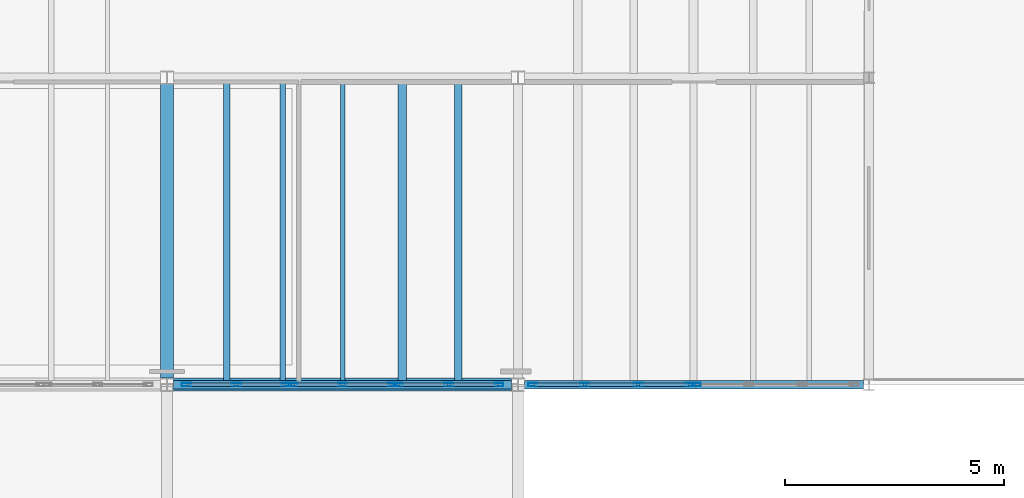
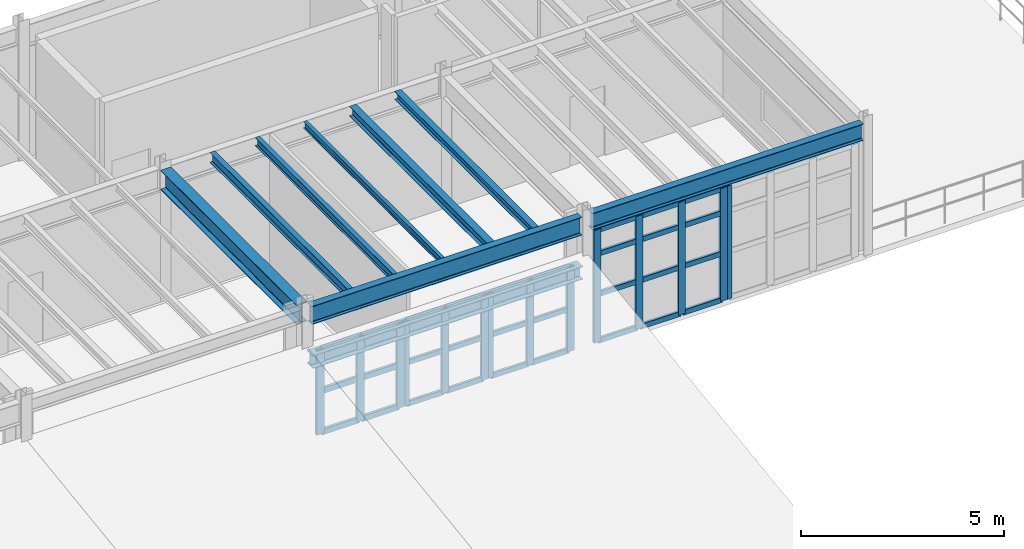
# One storey, part 15 of 77: 44 members, 9 beams, 5 elements without a shape of their own.
"""IFC4 building model written with IfcOpenShell, lengths in metres."""

from ifc_helpers import new_model, si_unit, direction, frame, origin, origin_2d, place, context, subcontext, project, spatial, hollow_rectangle, i_section, extrude, material, material_profile, profile_set, type_object, element, aggregate, save


model = new_model("IFC4")

# Units and contexts
model_context = context("Model", 3, precision=1e-05, world=origin(), true_north=direction((0.0, 1.0)))
body_context = subcontext(model_context, "Body", "Model", "MODEL_VIEW")
ifc_project = project(units=[si_unit("LENGTHUNIT", "METRE"), si_unit("AREAUNIT", "SQUARE_METRE"), si_unit("VOLUMEUNIT", "CUBIC_METRE"), si_unit("PLANEANGLEUNIT", "RADIAN"), si_unit("MASSUNIT", "GRAM", prefix="KILO"), si_unit("THERMODYNAMICTEMPERATUREUNIT", "KELVIN"), si_unit("POWERUNIT", "WATT")], contexts=[model_context])

# Site, building, storey
site_placement = place(None, origin())
site = spatial("IfcSite", under=ifc_project, at=site_placement, CompositionType="ELEMENT")
building_placement = place(site_placement, origin())
building = spatial("IfcBuilding", under=site, at=building_placement, Name="Zhenchuan Central Fire Station", CompositionType="ELEMENT")
storey_placement = place(building_placement, frame((0.0, 0.0, 10.050048828125)))
storey = spatial("IfcBuildingStorey", under=building, at=storey_placement, Name="L03", CompositionType="ELEMENT", Elevation=10.050048828125)

# Beams
ifc_material_1 = material(Name="Steel Q355B", Category="steel")
ifc_material_profile_1 = material_profile(ifc_material_1, i_section(OverallWidth=0.300048828125, OverallDepth=0.389892578125, WebThickness=0.010009765625, FlangeThickness=0.01611328125, FilletRadius=0.02001953125, at=origin_2d()), Name="HM 390x300")
ifc_profile_set_1 = profile_set([ifc_material_profile_1], Name="Steel Q355B")
beam_type_1 = type_object("IfcBeamType", Name="BM-HM390-INT", PredefinedType="BEAM", material=ifc_profile_set_1)
beam_1_placement = place(storey_placement, frame((32.14990234375, 42.5, 2.329833984375), z_axis=(1.0, 0.0, 0.0), x_axis=(0.0, 1.0, 0.0)))
element("IfcBeam", 1, at=beam_1_placement, inside=storey, type_object=beam_type_1, Name="Workshop Sawtooth Ridge Girder 5", PredefinedType="BEAM", context=body_context, shape_type="SweptSolid", body=[
    extrude(i_section(OverallWidth=0.300048828125, OverallDepth=0.389892578125, WebThickness=0.010009765625, FlangeThickness=0.01611328125, FilletRadius=0.02001953125, at=origin_2d()), origin(), (0.0, 0.0, 1.0), 7.7001953125),
])
ifc_material_profile_2 = material_profile(ifc_material_1, i_section(OverallWidth=0.300048828125, OverallDepth=0.587890625, WebThickness=0.011962890625, FlangeThickness=0.02001953125, FilletRadius=0.02392578125, at=origin_2d()), Name="HM 588x300")
ifc_profile_set_2 = profile_set([ifc_material_profile_2], Name="Steel Q355B")
beam_type_2 = type_object("IfcBeamType", Name="BM-HM588", PredefinedType="BEAM", material=ifc_profile_set_2)
beam_2_placement = place(storey_placement, frame((32.0, 42.64990234375, 3.68603515625), z_axis=(0.0, 1.0, 0.0), x_axis=(-1.0, 0.0, 0.0)))
element("IfcBeam", 2, at=beam_2_placement, inside=storey, type_object=beam_type_2, Name="L04 Girder NS 0396", PredefinedType="BEAM", context=body_context, shape_type="SweptSolid", body=[
    extrude(i_section(OverallWidth=0.300048828125, OverallDepth=0.587890625, WebThickness=0.011962890625, FlangeThickness=0.02001953125, FilletRadius=0.02392578125, at=origin_2d()), origin(), (0.0, 0.0, 1.0), 6.7001953125),
])
ifc_material_profile_3 = material_profile(ifc_material_1, i_section(OverallWidth=0.199951171875, OverallDepth=0.5, WebThickness=0.010009765625, FlangeThickness=0.01611328125, FilletRadius=0.02001953125, at=origin_2d()), Name="HN 500x200")
ifc_profile_set_3 = profile_set([ifc_material_profile_3], Name="Steel Q355B")
beam_type_3 = type_object("IfcBeamType", Name="BM-HN500-INT", PredefinedType="BEAM", material=ifc_profile_set_3)
beam_3_placement = place(storey_placement, frame((40.14990234375, 42.5, 3.72998046875), z_axis=(1.0, 0.0, 0.0), x_axis=(0.0, 1.0, 0.0)))
element("IfcBeam", 3, at=beam_3_placement, inside=storey, type_object=beam_type_3, Name="L04 Girder EW 0367", PredefinedType="BEAM", context=body_context, shape_type="SweptSolid", body=[
    extrude(i_section(OverallWidth=0.199951171875, OverallDepth=0.5, WebThickness=0.010009765625, FlangeThickness=0.01611328125, FilletRadius=0.02001953125, at=origin_2d()), origin(), (0.0, 0.0, 1.0), 7.72509765625),
])
ifc_material_profile_4 = material_profile(ifc_material_1, i_section(OverallWidth=0.199951171875, OverallDepth=0.550048828125, WebThickness=0.010009765625, FlangeThickness=0.01611328125, FilletRadius=0.02001953125, at=origin_2d()), Name="HN 550x200")
ifc_profile_set_4 = profile_set([ifc_material_profile_4], Name="Steel Q355B")
beam_type_4 = type_object("IfcBeamType", Name="BM-HN550-INT", PredefinedType="BEAM", material=ifc_profile_set_4)
beam_4_placement = place(storey_placement, frame((32.14990234375, 42.5, 3.704833984375), z_axis=(1.0, 0.0, 0.0), x_axis=(0.0, 1.0, 0.0)))
element("IfcBeam", 4, at=beam_4_placement, inside=storey, type_object=beam_type_4, Name="L04 Girder EW 0366", PredefinedType="BEAM", context=body_context, shape_type="SweptSolid", body=[
    extrude(i_section(OverallWidth=0.199951171875, OverallDepth=0.550048828125, WebThickness=0.010009765625, FlangeThickness=0.01611328125, FilletRadius=0.02001953125, at=origin_2d()), origin(), (0.0, 0.0, 1.0), 7.7001953125),
])

# Curtain wall, members
ifc_material_2 = material(Name="Anodised aluminium and low-E glazing", Category="aluminium")
curtain_wall_type_1 = type_object("IfcCurtainWallType", Name="CW-MOD-01", PredefinedType="USERDEFINED", material=ifc_material_2)
curtain_wall_1_placement = place(storey_placement, origin())
curtain_wall_1 = element("IfcCurtainWall", 5, at=curtain_wall_1_placement, inside=storey, type_object=curtain_wall_type_1, Name="L03 Unitised Curtain Wall 050", ObjectType="UNITISED GLAZING", PredefinedType="USERDEFINED")
ifc_material_3 = material(Name="Anodised aluminium EN AW-6063", Category="aluminium")
ifc_material_profile_5 = material_profile(ifc_material_3, hollow_rectangle(XDim=0.074951171875, YDim=0.199951171875, WallThickness=0.0048828125, at=origin_2d()), Name="ALU-M 200x75")
ifc_profile_set_5 = profile_set([ifc_material_profile_5], Name="Anodised aluminium EN AW-6063")
member_type_1 = type_object("IfcMemberType", Name="CW-MUL160", PredefinedType="MULLION", material=ifc_profile_set_5)
member_1_placement = place(storey_placement, frame((34.87060546875, 42.5, -0.004150390625), z_axis=(0.0, 0.0, 1.0), x_axis=(0.0, 1.0, 0.0)))
member_1 = element("IfcMember", 6, at=member_1_placement, type_object=member_type_1, Name="CW-01 mullion 1", PredefinedType="MULLION", context=body_context, shape_type="SweptSolid", body=[
    extrude(hollow_rectangle(XDim=0.074951171875, YDim=0.199951171875, WallThickness=0.0048828125, at=origin_2d()), origin(), (0.0, 0.0, 1.0), 2.55419921875),
])
member_2_placement = place(storey_placement, frame((36.0, 42.5, -0.004150390625), z_axis=(0.0, 0.0, 1.0), x_axis=(0.0, 1.0, 0.0)))
member_2 = element("IfcMember", 7, at=member_2_placement, type_object=member_type_1, Name="CW-01 mullion 2", PredefinedType="MULLION", context=body_context, shape_type="SweptSolid", body=[
    extrude(hollow_rectangle(XDim=0.074951171875, YDim=0.199951171875, WallThickness=0.0048828125, at=origin_2d()), origin(), (0.0, 0.0, 1.0), 2.55419921875),
])
member_3_placement = place(storey_placement, frame((37.12939453125, 42.5, -0.004150390625), z_axis=(0.0, 0.0, 1.0), x_axis=(0.0, 1.0, 0.0)))
member_3 = element("IfcMember", 8, at=member_3_placement, type_object=member_type_1, Name="CW-01 mullion 3", PredefinedType="MULLION", context=body_context, shape_type="SweptSolid", body=[
    extrude(hollow_rectangle(XDim=0.074951171875, YDim=0.199951171875, WallThickness=0.0048828125, at=origin_2d()), origin(), (0.0, 0.0, 1.0), 2.55419921875),
])

curtain_wall_type_2 = type_object("IfcCurtainWallType", Name="CW-MOD-02", PredefinedType="USERDEFINED", material=ifc_material_2)
curtain_wall_2_placement = place(storey_placement, origin())
curtain_wall_2 = element("IfcCurtainWall", 9, at=curtain_wall_2_placement, inside=storey, type_object=curtain_wall_type_2, Name="L03 Unitised Curtain Wall 051", ObjectType="UNITISED GLAZING", PredefinedType="USERDEFINED")
member_4_placement = place(storey_placement, frame((37.2705078125, 42.5, -0.004150390625), z_axis=(0.0, 0.0, 1.0), x_axis=(0.0, 1.0, 0.0)))
member_4 = element("IfcMember", 10, at=member_4_placement, type_object=member_type_1, Name="CW-02 mullion 1", PredefinedType="MULLION", context=body_context, shape_type="SweptSolid", body=[
    extrude(hollow_rectangle(XDim=0.074951171875, YDim=0.199951171875, WallThickness=0.0048828125, at=origin_2d()), origin(), (0.0, 0.0, 1.0), 2.55419921875),
])
member_5_placement = place(storey_placement, frame((38.4189453125, 42.5, -0.004150390625), z_axis=(0.0, 0.0, 1.0), x_axis=(0.0, 1.0, 0.0)))
member_5 = element("IfcMember", 11, at=member_5_placement, type_object=member_type_1, Name="CW-02 mullion 2", PredefinedType="MULLION", context=body_context, shape_type="SweptSolid", body=[
    extrude(hollow_rectangle(XDim=0.074951171875, YDim=0.199951171875, WallThickness=0.0048828125, at=origin_2d()), origin(), (0.0, 0.0, 1.0), 2.55419921875),
])
member_6_placement = place(storey_placement, frame((39.5673828125, 42.5, -0.004150390625), z_axis=(0.0, 0.0, 1.0), x_axis=(0.0, 1.0, 0.0)))
member_6 = element("IfcMember", 12, at=member_6_placement, type_object=member_type_1, Name="CW-02 mullion 3", PredefinedType="MULLION", context=body_context, shape_type="SweptSolid", body=[
    extrude(hollow_rectangle(XDim=0.074951171875, YDim=0.199951171875, WallThickness=0.0048828125, at=origin_2d()), origin(), (0.0, 0.0, 1.0), 2.55419921875),
])

curtain_wall_type_3 = type_object("IfcCurtainWallType", Name="CW-MOD-07", PredefinedType="USERDEFINED", material=ifc_material_2)
curtain_wall_3_placement = place(storey_placement, origin())
curtain_wall_3 = element("IfcCurtainWall", 13, at=curtain_wall_3_placement, inside=storey, type_object=curtain_wall_type_3, Name="L03 Unitised Curtain Wall 070", ObjectType="UNITISED GLAZING", PredefinedType="USERDEFINED")
member_7_placement = place(storey_placement, frame((40.33251953125, 42.5, -0.004150390625), z_axis=(0.0, 0.0, 1.0), x_axis=(0.0, 1.0, 0.0)))
member_7 = element("IfcMember", 14, at=member_7_placement, type_object=member_type_1, Name="CW-07 mullion 1", PredefinedType="MULLION", context=body_context, shape_type="SweptSolid", body=[
    extrude(hollow_rectangle(XDim=0.074951171875, YDim=0.199951171875, WallThickness=0.0048828125, at=origin_2d()), origin(), (0.0, 0.0, 1.0), 3.404052734375),
])
member_8_placement = place(storey_placement, frame((41.520751953125, 42.5, -0.004150390625), z_axis=(0.0, 0.0, 1.0), x_axis=(0.0, 1.0, 0.0)))
member_8 = element("IfcMember", 15, at=member_8_placement, type_object=member_type_1, Name="CW-07 mullion 2", PredefinedType="MULLION", context=body_context, shape_type="SweptSolid", body=[
    extrude(hollow_rectangle(XDim=0.074951171875, YDim=0.199951171875, WallThickness=0.0048828125, at=origin_2d()), origin(), (0.0, 0.0, 1.0), 3.404052734375),
])
member_9_placement = place(storey_placement, frame((42.741455078125, 42.5, -0.004150390625), z_axis=(0.0, 0.0, 1.0), x_axis=(0.0, 1.0, 0.0)))
member_9 = element("IfcMember", 16, at=member_9_placement, type_object=member_type_1, Name="CW-07 mullion 3", PredefinedType="MULLION", context=body_context, shape_type="SweptSolid", body=[
    extrude(hollow_rectangle(XDim=0.074951171875, YDim=0.199951171875, WallThickness=0.0048828125, at=origin_2d()), origin(), (0.0, 0.0, 1.0), 3.404052734375),
])
member_10_placement = place(storey_placement, frame((43.929443359375, 42.5, -0.004150390625), z_axis=(0.0, 0.0, 1.0), x_axis=(0.0, 1.0, 0.0)))
member_10 = element("IfcMember", 17, at=member_10_placement, type_object=member_type_1, Name="CW-07 mullion 4", PredefinedType="MULLION", context=body_context, shape_type="SweptSolid", body=[
    extrude(hollow_rectangle(XDim=0.074951171875, YDim=0.199951171875, WallThickness=0.0048828125, at=origin_2d()), origin(), (0.0, 0.0, 1.0), 3.404052734375),
])

# Curtain wall, member
curtain_wall_type_4 = type_object("IfcCurtainWallType", Name="CW-MOD-08", PredefinedType="USERDEFINED", material=ifc_material_2)
curtain_wall_4_placement = place(storey_placement, origin())
curtain_wall_4 = element("IfcCurtainWall", 18, at=curtain_wall_4_placement, inside=storey, type_object=curtain_wall_type_4, Name="L03 Unitised Curtain Wall 071", ObjectType="UNITISED GLAZING", PredefinedType="USERDEFINED")
member_11_placement = place(storey_placement, frame((44.070556640625, 42.5, -0.004150390625), z_axis=(0.0, 0.0, 1.0), x_axis=(0.0, 1.0, 0.0)))
member_11 = element("IfcMember", 19, at=member_11_placement, type_object=member_type_1, Name="CW-08 mullion 1", PredefinedType="MULLION", context=body_context, shape_type="SweptSolid", body=[
    extrude(hollow_rectangle(XDim=0.074951171875, YDim=0.199951171875, WallThickness=0.0048828125, at=origin_2d()), origin(), (0.0, 0.0, 1.0), 3.404052734375),
])
aggregate(curtain_wall_4, [member_11])

# Curtain wall, members
curtain_wall_type_5 = type_object("IfcCurtainWallType", Name="CW-MOD-22", PredefinedType="USERDEFINED", material=ifc_material_2)
curtain_wall_5_placement = place(storey_placement, origin())
curtain_wall_5 = element("IfcCurtainWall", 20, at=curtain_wall_5_placement, inside=storey, type_object=curtain_wall_type_5, Name="L03 Unitised Curtain Wall 049", ObjectType="UNITISED GLAZING", PredefinedType="USERDEFINED")
ifc_material_profile_6 = material_profile(ifc_material_3, hollow_rectangle(XDim=0.080078125, YDim=0.219970703125, WallThickness=0.005615234375, at=origin_2d()), Name="ALU-M 220x80")
ifc_profile_set_6 = profile_set([ifc_material_profile_6], Name="Anodised aluminium EN AW-6063")
member_type_2 = type_object("IfcMemberType", Name="CW-MUL200", PredefinedType="MULLION", material=ifc_profile_set_6)
member_12_placement = place(storey_placement, frame((32.4375, 42.5, -0.004150390625), z_axis=(0.0, 0.0, 1.0), x_axis=(0.0, 1.0, 0.0)))
member_12 = element("IfcMember", 21, at=member_12_placement, type_object=member_type_2, Name="CW-22 mullion 1", PredefinedType="MULLION", context=body_context, shape_type="SweptSolid", body=[
    extrude(hollow_rectangle(XDim=0.080078125, YDim=0.219970703125, WallThickness=0.005615234375, at=origin_2d()), origin(), (0.0, 0.0, 1.0), 2.55419921875),
])
member_13_placement = place(storey_placement, frame((33.5810546875, 42.5, -0.004150390625), z_axis=(0.0, 0.0, 1.0), x_axis=(0.0, 1.0, 0.0)))
member_13 = element("IfcMember", 22, at=member_13_placement, type_object=member_type_2, Name="CW-22 mullion 2", PredefinedType="MULLION", context=body_context, shape_type="SweptSolid", body=[
    extrude(hollow_rectangle(XDim=0.080078125, YDim=0.219970703125, WallThickness=0.005615234375, at=origin_2d()), origin(), (0.0, 0.0, 1.0), 2.55419921875),
])
member_14_placement = place(storey_placement, frame((34.724609375, 42.5, -0.004150390625), z_axis=(0.0, 0.0, 1.0), x_axis=(0.0, 1.0, 0.0)))
member_14 = element("IfcMember", 23, at=member_14_placement, type_object=member_type_2, Name="CW-22 mullion 3", PredefinedType="MULLION", context=body_context, shape_type="SweptSolid", body=[
    extrude(hollow_rectangle(XDim=0.080078125, YDim=0.219970703125, WallThickness=0.005615234375, at=origin_2d()), origin(), (0.0, 0.0, 1.0), 2.55419921875),
])

# Member
ifc_material_profile_7 = material_profile(ifc_material_3, hollow_rectangle(XDim=0.074951171875, YDim=0.14990234375, WallThickness=0.0048828125, at=origin_2d()), Name="ALU-T 150x75")
ifc_profile_set_7 = profile_set([ifc_material_profile_7], Name="Anodised aluminium EN AW-6063")
member_type_3 = type_object("IfcMemberType", Name="CW-TRN130", PredefinedType="NOTDEFINED", material=ifc_profile_set_7)
member_15_placement = place(storey_placement, frame((34.903076171875, 42.5, 0.028564453125), z_axis=(1.0, 0.0, 0.0), x_axis=(0.0, 1.0, 0.0)))
member_15 = element("IfcMember", 24, at=member_15_placement, type_object=member_type_3, Name="CW-01 transom 1.1", ObjectType="TRANSOM", PredefinedType="USERDEFINED", context=body_context, shape_type="SweptSolid", body=[
    extrude(hollow_rectangle(XDim=0.074951171875, YDim=0.14990234375, WallThickness=0.0048828125, at=origin_2d()), origin(), (0.0, 0.0, 1.0), 1.064453125),
])

member_16_placement = place(storey_placement, frame((34.903076171875, 42.5, 1.27490234375), z_axis=(1.0, 0.0, 0.0), x_axis=(0.0, 1.0, 0.0)))
member_16 = element("IfcMember", 25, at=member_16_placement, type_object=member_type_3, Name="CW-01 transom 1.2", ObjectType="TRANSOM", PredefinedType="USERDEFINED", context=body_context, shape_type="SweptSolid", body=[
    extrude(hollow_rectangle(XDim=0.074951171875, YDim=0.14990234375, WallThickness=0.0048828125, at=origin_2d()), origin(), (0.0, 0.0, 1.0), 1.064453125),
])

member_17_placement = place(storey_placement, frame((34.903076171875, 42.5, 2.517333984375), z_axis=(1.0, 0.0, 0.0), x_axis=(0.0, 1.0, 0.0)))
member_17 = element("IfcMember", 26, at=member_17_placement, type_object=member_type_3, Name="CW-01 transom 1.3", ObjectType="TRANSOM", PredefinedType="USERDEFINED", context=body_context, shape_type="SweptSolid", body=[
    extrude(hollow_rectangle(XDim=0.074951171875, YDim=0.14990234375, WallThickness=0.0048828125, at=origin_2d()), origin(), (0.0, 0.0, 1.0), 1.064453125),
])

member_18_placement = place(storey_placement, frame((36.032470703125, 42.5, 0.028564453125), z_axis=(1.0, 0.0, 0.0), x_axis=(0.0, 1.0, 0.0)))
member_18 = element("IfcMember", 27, at=member_18_placement, type_object=member_type_3, Name="CW-01 transom 2.1", ObjectType="TRANSOM", PredefinedType="USERDEFINED", context=body_context, shape_type="SweptSolid", body=[
    extrude(hollow_rectangle(XDim=0.074951171875, YDim=0.14990234375, WallThickness=0.0048828125, at=origin_2d()), origin(), (0.0, 0.0, 1.0), 1.064453125),
])

member_19_placement = place(storey_placement, frame((36.032470703125, 42.5, 1.27490234375), z_axis=(1.0, 0.0, 0.0), x_axis=(0.0, 1.0, 0.0)))
member_19 = element("IfcMember", 28, at=member_19_placement, type_object=member_type_3, Name="CW-01 transom 2.2", ObjectType="TRANSOM", PredefinedType="USERDEFINED", context=body_context, shape_type="SweptSolid", body=[
    extrude(hollow_rectangle(XDim=0.074951171875, YDim=0.14990234375, WallThickness=0.0048828125, at=origin_2d()), origin(), (0.0, 0.0, 1.0), 1.064453125),
])

member_20_placement = place(storey_placement, frame((36.032470703125, 42.5, 2.517333984375), z_axis=(1.0, 0.0, 0.0), x_axis=(0.0, 1.0, 0.0)))
member_20 = element("IfcMember", 29, at=member_20_placement, type_object=member_type_3, Name="CW-01 transom 2.3", ObjectType="TRANSOM", PredefinedType="USERDEFINED", context=body_context, shape_type="SweptSolid", body=[
    extrude(hollow_rectangle(XDim=0.074951171875, YDim=0.14990234375, WallThickness=0.0048828125, at=origin_2d()), origin(), (0.0, 0.0, 1.0), 1.064453125),
])

aggregate(curtain_wall_1, [member_1, member_2, member_3, member_15, member_16, member_17, member_18, member_19, member_20])

member_21_placement = place(storey_placement, frame((37.302978515625, 42.5, 0.028564453125), z_axis=(1.0, 0.0, 0.0), x_axis=(0.0, 1.0, 0.0)))
member_21 = element("IfcMember", 30, at=member_21_placement, type_object=member_type_3, Name="CW-02 transom 1.1", ObjectType="TRANSOM", PredefinedType="USERDEFINED", context=body_context, shape_type="SweptSolid", body=[
    extrude(hollow_rectangle(XDim=0.074951171875, YDim=0.14990234375, WallThickness=0.0048828125, at=origin_2d()), origin(), (0.0, 0.0, 1.0), 1.08349609375),
])

member_22_placement = place(storey_placement, frame((37.302978515625, 42.5, 1.27490234375), z_axis=(1.0, 0.0, 0.0), x_axis=(0.0, 1.0, 0.0)))
member_22 = element("IfcMember", 31, at=member_22_placement, type_object=member_type_3, Name="CW-02 transom 1.2", ObjectType="TRANSOM", PredefinedType="USERDEFINED", context=body_context, shape_type="SweptSolid", body=[
    extrude(hollow_rectangle(XDim=0.074951171875, YDim=0.14990234375, WallThickness=0.0048828125, at=origin_2d()), origin(), (0.0, 0.0, 1.0), 1.08349609375),
])

member_23_placement = place(storey_placement, frame((37.302978515625, 42.5, 2.517333984375), z_axis=(1.0, 0.0, 0.0), x_axis=(0.0, 1.0, 0.0)))
member_23 = element("IfcMember", 32, at=member_23_placement, type_object=member_type_3, Name="CW-02 transom 1.3", ObjectType="TRANSOM", PredefinedType="USERDEFINED", context=body_context, shape_type="SweptSolid", body=[
    extrude(hollow_rectangle(XDim=0.074951171875, YDim=0.14990234375, WallThickness=0.0048828125, at=origin_2d()), origin(), (0.0, 0.0, 1.0), 1.08349609375),
])

member_24_placement = place(storey_placement, frame((38.451416015625, 42.5, 0.028564453125), z_axis=(1.0, 0.0, 0.0), x_axis=(0.0, 1.0, 0.0)))
member_24 = element("IfcMember", 33, at=member_24_placement, type_object=member_type_3, Name="CW-02 transom 2.1", ObjectType="TRANSOM", PredefinedType="USERDEFINED", context=body_context, shape_type="SweptSolid", body=[
    extrude(hollow_rectangle(XDim=0.074951171875, YDim=0.14990234375, WallThickness=0.0048828125, at=origin_2d()), origin(), (0.0, 0.0, 1.0), 1.08349609375),
])

member_25_placement = place(storey_placement, frame((38.451416015625, 42.5, 1.27490234375), z_axis=(1.0, 0.0, 0.0), x_axis=(0.0, 1.0, 0.0)))
member_25 = element("IfcMember", 34, at=member_25_placement, type_object=member_type_3, Name="CW-02 transom 2.2", ObjectType="TRANSOM", PredefinedType="USERDEFINED", context=body_context, shape_type="SweptSolid", body=[
    extrude(hollow_rectangle(XDim=0.074951171875, YDim=0.14990234375, WallThickness=0.0048828125, at=origin_2d()), origin(), (0.0, 0.0, 1.0), 1.08349609375),
])

member_26_placement = place(storey_placement, frame((38.451416015625, 42.5, 2.517333984375), z_axis=(1.0, 0.0, 0.0), x_axis=(0.0, 1.0, 0.0)))
member_26 = element("IfcMember", 35, at=member_26_placement, type_object=member_type_3, Name="CW-02 transom 2.3", ObjectType="TRANSOM", PredefinedType="USERDEFINED", context=body_context, shape_type="SweptSolid", body=[
    extrude(hollow_rectangle(XDim=0.074951171875, YDim=0.14990234375, WallThickness=0.0048828125, at=origin_2d()), origin(), (0.0, 0.0, 1.0), 1.08349609375),
])

aggregate(curtain_wall_2, [member_4, member_5, member_6, member_21, member_22, member_23, member_24, member_25, member_26])

member_27_placement = place(storey_placement, frame((40.364990234375, 42.5, 0.028564453125), z_axis=(1.0, 0.0, 0.0), x_axis=(0.0, 1.0, 0.0)))
member_27 = element("IfcMember", 36, at=member_27_placement, type_object=member_type_3, Name="CW-07 transom 1.1", ObjectType="TRANSOM", PredefinedType="USERDEFINED", context=body_context, shape_type="SweptSolid", body=[
    extrude(hollow_rectangle(XDim=0.074951171875, YDim=0.14990234375, WallThickness=0.0048828125, at=origin_2d()), origin(), (0.0, 0.0, 1.0), 1.123291015625),
])

member_28_placement = place(storey_placement, frame((40.364990234375, 42.5, 1.427978515625), z_axis=(1.0, 0.0, 0.0), x_axis=(0.0, 1.0, 0.0)))
member_28 = element("IfcMember", 37, at=member_28_placement, type_object=member_type_3, Name="CW-07 transom 1.2", ObjectType="TRANSOM", PredefinedType="USERDEFINED", context=body_context, shape_type="SweptSolid", body=[
    extrude(hollow_rectangle(XDim=0.074951171875, YDim=0.14990234375, WallThickness=0.0048828125, at=origin_2d()), origin(), (0.0, 0.0, 1.0), 1.123291015625),
])

member_29_placement = place(storey_placement, frame((40.364990234375, 42.5, 2.65185546875), z_axis=(1.0, 0.0, 0.0), x_axis=(0.0, 1.0, 0.0)))
member_29 = element("IfcMember", 38, at=member_29_placement, type_object=member_type_3, Name="CW-07 transom 1.3", ObjectType="TRANSOM", PredefinedType="USERDEFINED", context=body_context, shape_type="SweptSolid", body=[
    extrude(hollow_rectangle(XDim=0.074951171875, YDim=0.14990234375, WallThickness=0.0048828125, at=origin_2d()), origin(), (0.0, 0.0, 1.0), 1.123291015625),
])

member_30_placement = place(storey_placement, frame((40.364990234375, 42.5, 3.367431640625), z_axis=(1.0, 0.0, 0.0), x_axis=(0.0, 1.0, 0.0)))
member_30 = element("IfcMember", 39, at=member_30_placement, type_object=member_type_3, Name="CW-07 transom 1.4", ObjectType="TRANSOM", PredefinedType="USERDEFINED", context=body_context, shape_type="SweptSolid", body=[
    extrude(hollow_rectangle(XDim=0.074951171875, YDim=0.14990234375, WallThickness=0.0048828125, at=origin_2d()), origin(), (0.0, 0.0, 1.0), 1.123291015625),
])

member_31_placement = place(storey_placement, frame((41.55322265625, 42.5, 0.028564453125), z_axis=(1.0, 0.0, 0.0), x_axis=(0.0, 1.0, 0.0)))
member_31 = element("IfcMember", 40, at=member_31_placement, type_object=member_type_3, Name="CW-07 transom 2.1", ObjectType="TRANSOM", PredefinedType="USERDEFINED", context=body_context, shape_type="SweptSolid", body=[
    extrude(hollow_rectangle(XDim=0.074951171875, YDim=0.14990234375, WallThickness=0.0048828125, at=origin_2d()), origin(), (0.0, 0.0, 1.0), 1.155517578125),
])

member_32_placement = place(storey_placement, frame((41.55322265625, 42.5, 1.427978515625), z_axis=(1.0, 0.0, 0.0), x_axis=(0.0, 1.0, 0.0)))
member_32 = element("IfcMember", 41, at=member_32_placement, type_object=member_type_3, Name="CW-07 transom 2.2", ObjectType="TRANSOM", PredefinedType="USERDEFINED", context=body_context, shape_type="SweptSolid", body=[
    extrude(hollow_rectangle(XDim=0.074951171875, YDim=0.14990234375, WallThickness=0.0048828125, at=origin_2d()), origin(), (0.0, 0.0, 1.0), 1.155517578125),
])

member_33_placement = place(storey_placement, frame((41.55322265625, 42.5, 2.65185546875), z_axis=(1.0, 0.0, 0.0), x_axis=(0.0, 1.0, 0.0)))
member_33 = element("IfcMember", 42, at=member_33_placement, type_object=member_type_3, Name="CW-07 transom 2.3", ObjectType="TRANSOM", PredefinedType="USERDEFINED", context=body_context, shape_type="SweptSolid", body=[
    extrude(hollow_rectangle(XDim=0.074951171875, YDim=0.14990234375, WallThickness=0.0048828125, at=origin_2d()), origin(), (0.0, 0.0, 1.0), 1.155517578125),
])

member_34_placement = place(storey_placement, frame((41.55322265625, 42.5, 3.367431640625), z_axis=(1.0, 0.0, 0.0), x_axis=(0.0, 1.0, 0.0)))
member_34 = element("IfcMember", 43, at=member_34_placement, type_object=member_type_3, Name="CW-07 transom 2.4", ObjectType="TRANSOM", PredefinedType="USERDEFINED", context=body_context, shape_type="SweptSolid", body=[
    extrude(hollow_rectangle(XDim=0.074951171875, YDim=0.14990234375, WallThickness=0.0048828125, at=origin_2d()), origin(), (0.0, 0.0, 1.0), 1.155517578125),
])

member_35_placement = place(storey_placement, frame((42.77392578125, 42.5, 0.028564453125), z_axis=(1.0, 0.0, 0.0), x_axis=(0.0, 1.0, 0.0)))
member_35 = element("IfcMember", 44, at=member_35_placement, type_object=member_type_3, Name="CW-07 transom 3.1", ObjectType="TRANSOM", PredefinedType="USERDEFINED", context=body_context, shape_type="SweptSolid", body=[
    extrude(hollow_rectangle(XDim=0.074951171875, YDim=0.14990234375, WallThickness=0.0048828125, at=origin_2d()), origin(), (0.0, 0.0, 1.0), 1.123046875),
])

member_36_placement = place(storey_placement, frame((42.77392578125, 42.5, 1.427978515625), z_axis=(1.0, 0.0, 0.0), x_axis=(0.0, 1.0, 0.0)))
member_36 = element("IfcMember", 45, at=member_36_placement, type_object=member_type_3, Name="CW-07 transom 3.2", ObjectType="TRANSOM", PredefinedType="USERDEFINED", context=body_context, shape_type="SweptSolid", body=[
    extrude(hollow_rectangle(XDim=0.074951171875, YDim=0.14990234375, WallThickness=0.0048828125, at=origin_2d()), origin(), (0.0, 0.0, 1.0), 1.123046875),
])

member_37_placement = place(storey_placement, frame((42.77392578125, 42.5, 2.65185546875), z_axis=(1.0, 0.0, 0.0), x_axis=(0.0, 1.0, 0.0)))
member_37 = element("IfcMember", 46, at=member_37_placement, type_object=member_type_3, Name="CW-07 transom 3.3", ObjectType="TRANSOM", PredefinedType="USERDEFINED", context=body_context, shape_type="SweptSolid", body=[
    extrude(hollow_rectangle(XDim=0.074951171875, YDim=0.14990234375, WallThickness=0.0048828125, at=origin_2d()), origin(), (0.0, 0.0, 1.0), 1.123046875),
])

member_38_placement = place(storey_placement, frame((42.77392578125, 42.5, 3.367431640625), z_axis=(1.0, 0.0, 0.0), x_axis=(0.0, 1.0, 0.0)))
member_38 = element("IfcMember", 47, at=member_38_placement, type_object=member_type_3, Name="CW-07 transom 3.4", ObjectType="TRANSOM", PredefinedType="USERDEFINED", context=body_context, shape_type="SweptSolid", body=[
    extrude(hollow_rectangle(XDim=0.074951171875, YDim=0.14990234375, WallThickness=0.0048828125, at=origin_2d()), origin(), (0.0, 0.0, 1.0), 1.123046875),
])

aggregate(curtain_wall_3, [member_7, member_8, member_9, member_10, member_27, member_28, member_29, member_30, member_31, member_32, member_33, member_34, member_35, member_36, member_37, member_38])

ifc_material_profile_8 = material_profile(ifc_material_3, hollow_rectangle(XDim=0.080078125, YDim=0.1650390625, WallThickness=0.0048828125, at=origin_2d()), Name="ALU-T 165x80")
ifc_profile_set_8 = profile_set([ifc_material_profile_8], Name="Anodised aluminium EN AW-6063")
member_type_4 = type_object("IfcMemberType", Name="CW-TRN150", PredefinedType="NOTDEFINED", material=ifc_profile_set_8)
member_39_placement = place(storey_placement, frame((32.47509765625, 42.5, 0.033447265625), z_axis=(1.0, 0.0, 0.0), x_axis=(0.0, 1.0, 0.0)))
member_39 = element("IfcMember", 48, at=member_39_placement, type_object=member_type_4, Name="CW-22 transom 1.1", ObjectType="TRANSOM", PredefinedType="USERDEFINED", context=body_context, shape_type="SweptSolid", body=[
    extrude(hollow_rectangle(XDim=0.080078125, YDim=0.1650390625, WallThickness=0.0048828125, at=origin_2d()), origin(), (0.0, 0.0, 1.0), 1.068359375),
])

member_40_placement = place(storey_placement, frame((32.47509765625, 42.5, 1.27490234375), z_axis=(1.0, 0.0, 0.0), x_axis=(0.0, 1.0, 0.0)))
member_40 = element("IfcMember", 49, at=member_40_placement, type_object=member_type_4, Name="CW-22 transom 1.2", ObjectType="TRANSOM", PredefinedType="USERDEFINED", context=body_context, shape_type="SweptSolid", body=[
    extrude(hollow_rectangle(XDim=0.080078125, YDim=0.1650390625, WallThickness=0.0048828125, at=origin_2d()), origin(), (0.0, 0.0, 1.0), 1.068359375),
])

member_41_placement = place(storey_placement, frame((32.47509765625, 42.5, 2.512451171875), z_axis=(1.0, 0.0, 0.0), x_axis=(0.0, 1.0, 0.0)))
member_41 = element("IfcMember", 50, at=member_41_placement, type_object=member_type_4, Name="CW-22 transom 1.3", ObjectType="TRANSOM", PredefinedType="USERDEFINED", context=body_context, shape_type="SweptSolid", body=[
    extrude(hollow_rectangle(XDim=0.080078125, YDim=0.1650390625, WallThickness=0.0048828125, at=origin_2d()), origin(), (0.0, 0.0, 1.0), 1.068359375),
])

member_42_placement = place(storey_placement, frame((33.618408203125, 42.5, 0.033447265625), z_axis=(1.0, 0.0, 0.0), x_axis=(0.0, 1.0, 0.0)))
member_42 = element("IfcMember", 51, at=member_42_placement, type_object=member_type_4, Name="CW-22 transom 2.1", ObjectType="TRANSOM", PredefinedType="USERDEFINED", context=body_context, shape_type="SweptSolid", body=[
    extrude(hollow_rectangle(XDim=0.080078125, YDim=0.1650390625, WallThickness=0.0048828125, at=origin_2d()), origin(), (0.0, 0.0, 1.0), 1.068603515625),
])

member_43_placement = place(storey_placement, frame((33.618408203125, 42.5, 1.27490234375), z_axis=(1.0, 0.0, 0.0), x_axis=(0.0, 1.0, 0.0)))
member_43 = element("IfcMember", 52, at=member_43_placement, type_object=member_type_4, Name="CW-22 transom 2.2", ObjectType="TRANSOM", PredefinedType="USERDEFINED", context=body_context, shape_type="SweptSolid", body=[
    extrude(hollow_rectangle(XDim=0.080078125, YDim=0.1650390625, WallThickness=0.0048828125, at=origin_2d()), origin(), (0.0, 0.0, 1.0), 1.068603515625),
])

member_44_placement = place(storey_placement, frame((33.618408203125, 42.5, 2.512451171875), z_axis=(1.0, 0.0, 0.0), x_axis=(0.0, 1.0, 0.0)))
member_44 = element("IfcMember", 53, at=member_44_placement, type_object=member_type_4, Name="CW-22 transom 2.3", ObjectType="TRANSOM", PredefinedType="USERDEFINED", context=body_context, shape_type="SweptSolid", body=[
    extrude(hollow_rectangle(XDim=0.080078125, YDim=0.1650390625, WallThickness=0.0048828125, at=origin_2d()), origin(), (0.0, 0.0, 1.0), 1.068603515625),
])

aggregate(curtain_wall_5, [member_12, member_13, member_14, member_39, member_40, member_41, member_42, member_43, member_44])

# Beams
ifc_material_profile_9 = material_profile(ifc_material_1, i_section(OverallWidth=0.175048828125, OverallDepth=0.243896484375, WebThickness=0.007080078125, FlangeThickness=0.010986328125, FilletRadius=0.012939453125, at=origin_2d()), Name="HM 244x175")
ifc_profile_set_9 = profile_set([ifc_material_profile_9], Name="Steel Q355B")
beam_type_5 = type_object("IfcBeamType", Name="JS-HM244", PredefinedType="JOIST", material=ifc_profile_set_9)
beam_5_placement = place(storey_placement, frame((38.639892578125, 42.596923828125, 3.85791015625), z_axis=(0.0, 1.0, 0.0), x_axis=(-1.0, 0.0, 0.0)))
element("IfcBeam", 54, at=beam_5_placement, inside=storey, type_object=beam_type_5, Name="L04 Secondary Joist 0658", PredefinedType="JOIST", context=body_context, shape_type="SweptSolid", body=[
    extrude(i_section(OverallWidth=0.175048828125, OverallDepth=0.243896484375, WebThickness=0.007080078125, FlangeThickness=0.010986328125, FilletRadius=0.012939453125, at=origin_2d()), origin(), (0.0, 0.0, 1.0), 6.80615234375),
])
ifc_material_profile_10 = material_profile(ifc_material_1, i_section(OverallWidth=0.199951171875, OverallDepth=0.2939453125, WebThickness=0.008056640625, FlangeThickness=0.011962890625, FilletRadius=0.01611328125, at=origin_2d()), Name="HM 294x200")
ifc_profile_set_10 = profile_set([ifc_material_profile_10], Name="Steel Q355B")
beam_type_6 = type_object("IfcBeamType", Name="JS-HM294", PredefinedType="JOIST", material=ifc_profile_set_10)
beam_6_placement = place(storey_placement, frame((37.360107421875, 42.596923828125, 3.8330078125), z_axis=(0.0, 1.0, 0.0), x_axis=(-1.0, 0.0, 0.0)))
element("IfcBeam", 55, at=beam_6_placement, inside=storey, type_object=beam_type_6, Name="L04 Secondary Joist 0657", PredefinedType="JOIST", context=body_context, shape_type="SweptSolid", body=[
    extrude(i_section(OverallWidth=0.199951171875, OverallDepth=0.2939453125, WebThickness=0.008056640625, FlangeThickness=0.011962890625, FilletRadius=0.01611328125, at=origin_2d()), origin(), (0.0, 0.0, 1.0), 6.80615234375),
])
ifc_material_profile_11 = material_profile(ifc_material_1, i_section(OverallWidth=0.10009765625, OverallDepth=0.199951171875, WebThickness=0.005615234375, FlangeThickness=0.008056640625, FilletRadius=0.010986328125, at=origin_2d()), Name="HN 200x100")
ifc_profile_set_11 = profile_set([ifc_material_profile_11], Name="Steel Q355B")
beam_type_7 = type_object("IfcBeamType", Name="JS-HN200", PredefinedType="JOIST", material=ifc_profile_set_11)
beam_7_placement = place(storey_placement, frame((36.0, 42.596923828125, 3.8798828125), z_axis=(0.0, 1.0, 0.0), x_axis=(-1.0, 0.0, 0.0)))
element("IfcBeam", 56, at=beam_7_placement, inside=storey, type_object=beam_type_7, Name="L04 Secondary Joist 0656", PredefinedType="JOIST", context=body_context, shape_type="SweptSolid", body=[
    extrude(i_section(OverallWidth=0.10009765625, OverallDepth=0.199951171875, WebThickness=0.005615234375, FlangeThickness=0.008056640625, FilletRadius=0.010986328125, at=origin_2d()), origin(), (0.0, 0.0, 1.0), 6.80615234375),
])
ifc_material_profile_12 = material_profile(ifc_material_1, i_section(OverallWidth=0.125, OverallDepth=0.25, WebThickness=0.006103515625, FlangeThickness=0.009033203125, FilletRadius=0.011962890625, at=origin_2d()), Name="HN 250x125")
ifc_profile_set_12 = profile_set([ifc_material_profile_12], Name="Steel Q355B")
beam_type_8 = type_object("IfcBeamType", Name="JS-HN250", PredefinedType="JOIST", material=ifc_profile_set_12)
beam_8_placement = place(storey_placement, frame((34.639892578125, 42.596923828125, 3.85498046875), z_axis=(0.0, 1.0, 0.0), x_axis=(-1.0, 0.0, 0.0)))
element("IfcBeam", 57, at=beam_8_placement, inside=storey, type_object=beam_type_8, Name="L04 Secondary Joist 0655", PredefinedType="JOIST", context=body_context, shape_type="SweptSolid", body=[
    extrude(i_section(OverallWidth=0.125, OverallDepth=0.25, WebThickness=0.006103515625, FlangeThickness=0.009033203125, FilletRadius=0.011962890625, at=origin_2d()), origin(), (0.0, 0.0, 1.0), 6.80615234375),
])
ifc_material_profile_13 = material_profile(ifc_material_1, i_section(OverallWidth=0.14990234375, OverallDepth=0.300048828125, WebThickness=0.006591796875, FlangeThickness=0.009033203125, FilletRadius=0.012939453125, at=origin_2d()), Name="HN 300x150")
ifc_profile_set_13 = profile_set([ifc_material_profile_13], Name="Steel Q355B")
beam_type_9 = type_object("IfcBeamType", Name="JS-HN300", PredefinedType="JOIST", material=ifc_profile_set_13)
beam_9_placement = place(storey_placement, frame((33.360107421875, 42.596923828125, 3.829833984375), z_axis=(0.0, 1.0, 0.0), x_axis=(-1.0, 0.0, 0.0)))
element("IfcBeam", 58, at=beam_9_placement, inside=storey, type_object=beam_type_9, Name="L04 Secondary Joist 0654", PredefinedType="JOIST", context=body_context, shape_type="SweptSolid", body=[
    extrude(i_section(OverallWidth=0.14990234375, OverallDepth=0.300048828125, WebThickness=0.006591796875, FlangeThickness=0.009033203125, FilletRadius=0.012939453125, at=origin_2d()), origin(), (0.0, 0.0, 1.0), 6.80615234375),
])

save(model, "model.ifc")
